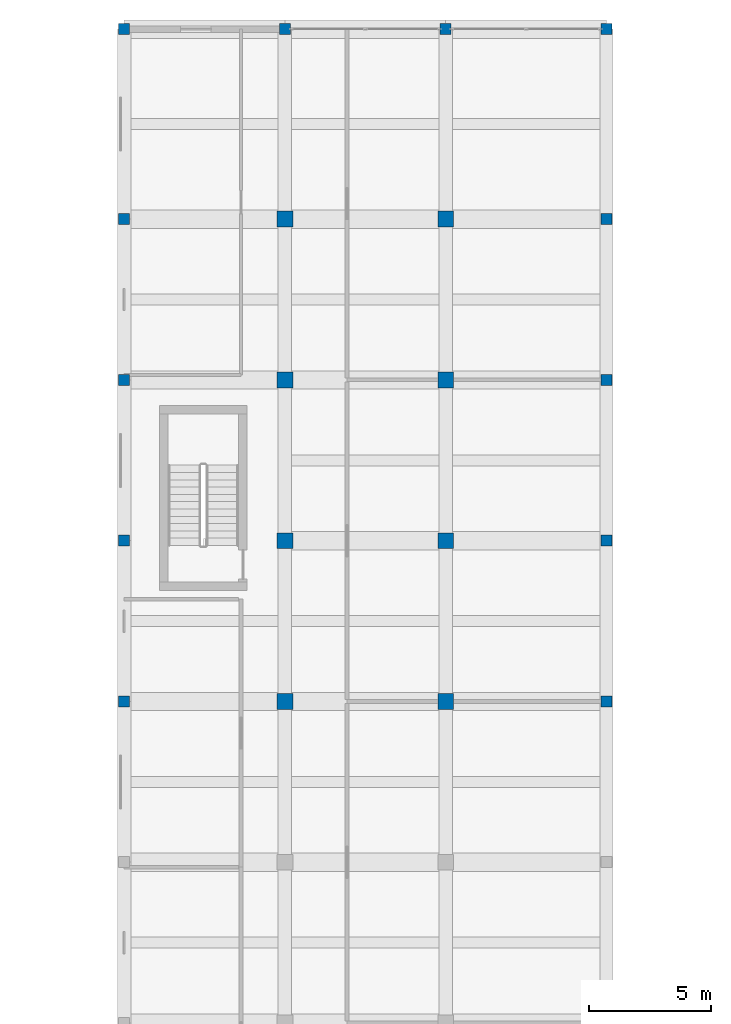
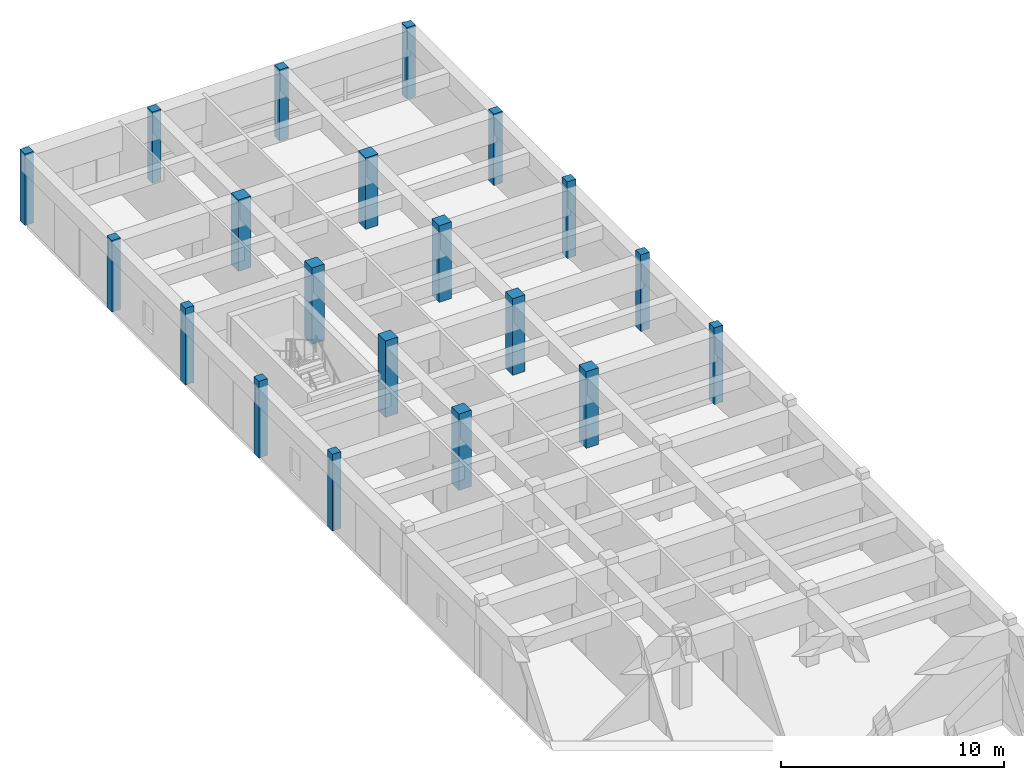
# One storey, part 20 of 157: 20 columns.
"""IFC4 building model written with IfcOpenShell, lengths in metres."""

from ifc_helpers import new_model, si_unit, direction, frame, origin, origin_2d, place, context, subcontext, project, spatial, rectangle, extrude, material, material_profile, profile_set, type_object, element, save


model = new_model("IFC4")

# Units and contexts
model_context = context("Model", 3, precision=1e-05, world=origin(), true_north=direction((0.0, 1.0)))
body_context = subcontext(model_context, "Body", "Model", "MODEL_VIEW")
ifc_project = project(units=[si_unit("LENGTHUNIT", "METRE"), si_unit("AREAUNIT", "SQUARE_METRE"), si_unit("VOLUMEUNIT", "CUBIC_METRE"), si_unit("PLANEANGLEUNIT", "RADIAN"), si_unit("MASSUNIT", "GRAM", prefix="KILO")], contexts=[model_context])

# Site, building, storey
site_placement = place(None, origin())
site = spatial("IfcSite", under=ifc_project, at=site_placement, CompositionType="ELEMENT")
building_placement = place(site_placement, origin())
building = spatial("IfcBuilding", under=site, at=building_placement, Name="Karori Crest Natural Sciences Institute", CompositionType="ELEMENT")
storey_placement = place(building_placement, frame((0.0, 0.0, 13.300048828125)))
storey = spatial("IfcBuildingStorey", under=building, at=storey_placement, Name="L03", CompositionType="ELEMENT", Elevation=13.300048828125)

# Columns
ifc_material = material(Name="Concrete 50 MPa", Category="concrete")
ifc_material_profile_1 = material_profile(ifc_material, rectangle(XDim=0.64990234375, YDim=0.64990234375, at=origin_2d()), Name="RC650x650")
ifc_profile_set_1 = profile_set([ifc_material_profile_1], Name="Concrete 50 MPa")
column_type_1 = type_object("IfcColumnType", Name="CT-19-IL", PredefinedType="COLUMN", material=ifc_profile_set_1)
for number, where, z_axis, x_axis, name in (
    (1, (14.0, 134.60009765625, 0.0), (0.0, 0.0, 1.0), (1.0, 0.0, 0.0), "Column C-0836"),
    (2, (14.0, 141.199951171875, 0.0), (0.0, 0.0, 1.0), (1.0, 0.0, 0.0), "Column C-0843"),
    (3, (14.0, 147.800048828125, 0.0), (0.0, 0.0, 1.0), (1.0, 0.0, 0.0), "Column C-0850"),
):
    element("IfcColumn", number, at=place(storey_placement, frame(where, z_axis=z_axis, x_axis=x_axis)), inside=storey, type_object=column_type_1, Name=name, PredefinedType="COLUMN", context=body_context, shape_type="SweptSolid", body=[
        extrude(rectangle(XDim=0.64990234375, YDim=0.64990234375, at=origin_2d()), origin(), (0.0, 0.0, 1.0), 4.199951171875),
    ])
column_1_placement = place(storey_placement, frame((14.0, 154.39990234375, 0.0), z_axis=(0.0, 0.0, 1.0), x_axis=(1.0, 0.0, 0.0)))
element("IfcColumn", 4, at=column_1_placement, inside=storey, type_object=column_type_1, Name="Column C-0857", PredefinedType="COLUMN", context=body_context, shape_type="SweptSolid", body=[
    extrude(rectangle(XDim=0.64990234375, YDim=0.64990234375, at=origin_2d()), origin(), (0.0, 0.0, 1.0), 3.919921875),
])
for number, where, z_axis, x_axis, name in (
    (5, (20.60009765625, 134.60009765625, 0.0), (0.0, 0.0, 1.0), (1.0, 0.0, 0.0), "Column C-0913"),
    (6, (20.60009765625, 141.199951171875, 0.0), (0.0, 0.0, 1.0), (1.0, 0.0, 0.0), "Column C-0920"),
    (7, (20.60009765625, 147.800048828125, 0.0), (0.0, 0.0, 1.0), (1.0, 0.0, 0.0), "Column C-0927"),
):
    element("IfcColumn", number, at=place(storey_placement, frame(where, z_axis=z_axis, x_axis=x_axis)), inside=storey, type_object=column_type_1, Name=name, PredefinedType="COLUMN", context=body_context, shape_type="SweptSolid", body=[
        extrude(rectangle(XDim=0.64990234375, YDim=0.64990234375, at=origin_2d()), origin(), (0.0, 0.0, 1.0), 4.199951171875),
    ])
column_2_placement = place(storey_placement, frame((20.60009765625, 154.39990234375, 0.0), z_axis=(0.0, 0.0, 1.0), x_axis=(1.0, 0.0, 0.0)))
element("IfcColumn", 8, at=column_2_placement, inside=storey, type_object=column_type_1, Name="Column C-0934", PredefinedType="COLUMN", context=body_context, shape_type="SweptSolid", body=[
    extrude(rectangle(XDim=0.64990234375, YDim=0.64990234375, at=origin_2d()), origin(), (0.0, 0.0, 1.0), 3.919921875),
])
ifc_material_profile_2 = material_profile(ifc_material, rectangle(XDim=0.449951171875, YDim=0.449951171875, at=origin_2d()), Name="RC450x450")
ifc_profile_set_2 = profile_set([ifc_material_profile_2], Name="Concrete 50 MPa")
column_type_2 = type_object("IfcColumnType", Name="CT-23", PredefinedType="PILASTER", material=ifc_profile_set_2)
for number, where, z_axis, x_axis, name in (
    (9, (7.39990234375, 134.60009765625, 0.0), (0.0, 0.0, 1.0), (1.0, 0.0, 0.0), "Column C-0759"),
    (10, (7.39990234375, 141.199951171875, 0.0), (0.0, 0.0, 1.0), (1.0, 0.0, 0.0), "Column C-0766"),
    (11, (7.39990234375, 147.800048828125, 0.0), (0.0, 0.0, 1.0), (1.0, 0.0, 0.0), "Column C-0773"),
):
    element("IfcColumn", number, at=place(storey_placement, frame(where, z_axis=z_axis, x_axis=x_axis)), inside=storey, type_object=column_type_2, Name=name, PredefinedType="PILASTER", context=body_context, shape_type="SweptSolid", body=[
        extrude(rectangle(XDim=0.449951171875, YDim=0.449951171875, at=origin_2d()), origin(), (0.0, 0.0, 1.0), 4.199951171875),
    ])
for number, where, z_axis, x_axis, name in (
    (12, (7.39990234375, 154.39990234375, 0.0), (0.0, 0.0, 1.0), (1.0, 0.0, 0.0), "Column C-0780"),
    (13, (7.39990234375, 162.199951171875, 0.0), (0.0, 0.0, 1.0), (1.0, 0.0, 0.0), "Column C-0785"),
    (14, (14.0, 162.199951171875, 0.0), (0.0, 0.0, 1.0), (1.0, 0.0, 0.0), "Column C-0862"),
    (15, (20.60009765625, 162.199951171875, 0.0), (0.0, 0.0, 1.0), (1.0, 0.0, 0.0), "Column C-0939"),
):
    element("IfcColumn", number, at=place(storey_placement, frame(where, z_axis=z_axis, x_axis=x_axis)), inside=storey, type_object=column_type_2, Name=name, PredefinedType="PILASTER", context=body_context, shape_type="SweptSolid", body=[
        extrude(rectangle(XDim=0.449951171875, YDim=0.449951171875, at=origin_2d()), origin(), (0.0, 0.0, 1.0), 3.919921875),
    ])
for number, where, z_axis, x_axis, name in (
    (16, (27.199951171875, 134.60009765625, 0.0), (0.0, 0.0, 1.0), (1.0, 0.0, 0.0), "Column C-0990"),
    (17, (27.199951171875, 141.199951171875, 0.0), (0.0, 0.0, 1.0), (1.0, 0.0, 0.0), "Column C-0997"),
    (18, (27.199951171875, 147.800048828125, 0.0), (0.0, 0.0, 1.0), (1.0, 0.0, 0.0), "Column C-1004"),
):
    element("IfcColumn", number, at=place(storey_placement, frame(where, z_axis=z_axis, x_axis=x_axis)), inside=storey, type_object=column_type_2, Name=name, PredefinedType="PILASTER", context=body_context, shape_type="SweptSolid", body=[
        extrude(rectangle(XDim=0.449951171875, YDim=0.449951171875, at=origin_2d()), origin(), (0.0, 0.0, 1.0), 4.199951171875),
    ])
for number, where, z_axis, x_axis, name in (
    (19, (27.199951171875, 154.39990234375, 0.0), (0.0, 0.0, 1.0), (1.0, 0.0, 0.0), "Column C-1011"),
    (20, (27.199951171875, 162.199951171875, 0.0), (0.0, 0.0, 1.0), (1.0, 0.0, 0.0), "Column C-1016"),
):
    element("IfcColumn", number, at=place(storey_placement, frame(where, z_axis=z_axis, x_axis=x_axis)), inside=storey, type_object=column_type_2, Name=name, PredefinedType="PILASTER", context=body_context, shape_type="SweptSolid", body=[
        extrude(rectangle(XDim=0.449951171875, YDim=0.449951171875, at=origin_2d()), origin(), (0.0, 0.0, 1.0), 3.919921875),
    ])

save(model, "model.ifc")
